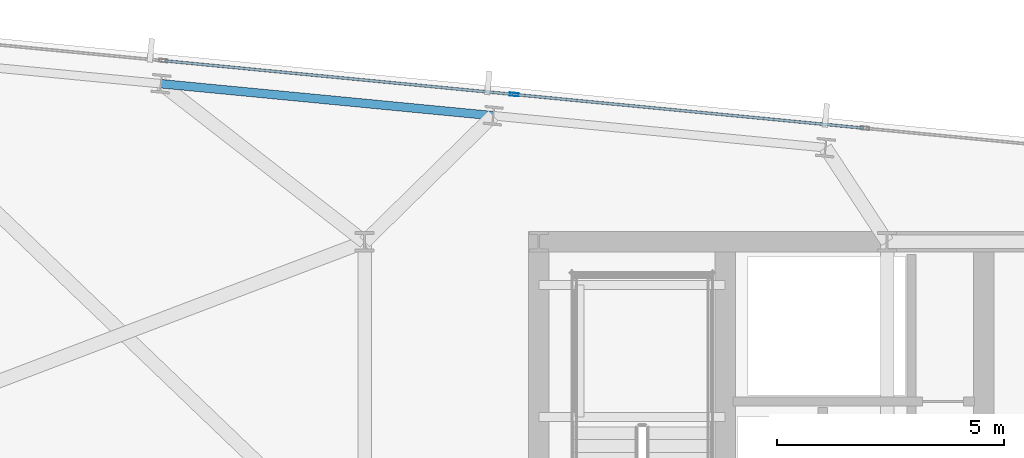
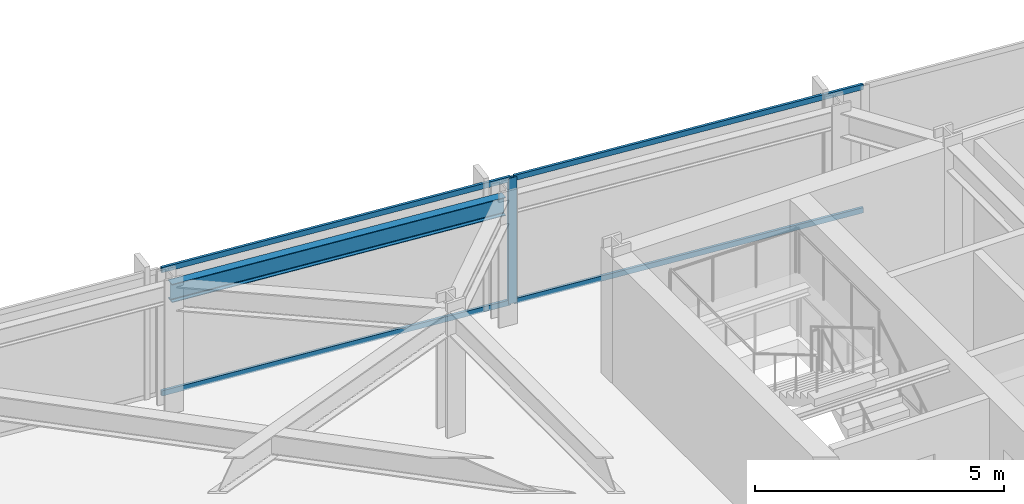
# One storey, part 25 of 37: 5 members, 1 beam, 1 element without a shape of its own.
"""IFC4 building model written with IfcOpenShell, lengths in metres."""

from ifc_helpers import new_model, si_unit, direction, frame, origin, origin_2d, place, context, subcontext, project, spatial, hollow_rectangle, i_section, extrude, material, material_profile, profile_set, type_object, element, aggregate, save


model = new_model("IFC4")

# Units and contexts
model_context = context("Model", 3, precision=1e-05, world=origin(), true_north=direction((0.0, 1.0)))
body_context = subcontext(model_context, "Body", "Model", "MODEL_VIEW")
ifc_project = project(units=[si_unit("LENGTHUNIT", "METRE"), si_unit("AREAUNIT", "SQUARE_METRE"), si_unit("VOLUMEUNIT", "CUBIC_METRE"), si_unit("PLANEANGLEUNIT", "RADIAN"), si_unit("MASSUNIT", "GRAM", prefix="KILO")], contexts=[model_context])

# Site, building, storey
site_placement = place(None, origin())
site = spatial("IfcSite", under=ifc_project, at=site_placement, CompositionType="ELEMENT")
building_placement = place(site_placement, origin())
building = spatial("IfcBuilding", under=site, at=building_placement, Name="Yelkora Congress Tower", CompositionType="ELEMENT")
storey_placement = place(building_placement, frame((0.0, 0.0, 149.0)))
storey = spatial("IfcBuildingStorey", under=building, at=storey_placement, Name="L40", CompositionType="ELEMENT", Elevation=149.0)

# Beam
ifc_material_1 = material(Name="Steel S355J2", Category="steel")
ifc_material_profile_1 = material_profile(ifc_material_1, i_section(OverallWidth=0.18994140625, OverallDepth=0.449951171875, WebThickness=0.009521484375, FlangeThickness=0.0146484375, FilletRadius=0.02099609375, at=origin_2d()), Name="IPE 450")
ifc_profile_set_1 = profile_set([ifc_material_profile_1], Name="Steel S355J2")
beam_type = type_object("IfcBeamType", Name="BM-SPAN-IPE450", PredefinedType="SPANDREL", material=ifc_profile_set_1)
beam_placement = place(storey_placement, frame((22.035400390625, 48.980224609375, 2.85498046875), z_axis=(-0.995393938538, 0.095869218844, 0.0), x_axis=(-0.095869218844, -0.995393938538, 0.0)))
element("IfcBeam", 1, at=beam_placement, inside=storey, type_object=beam_type, Name="L40 Perimeter Beam 14", PredefinedType="SPANDREL", context=body_context, shape_type="SweptSolid", body=[
    extrude(i_section(OverallWidth=0.18994140625, OverallDepth=0.449951171875, WebThickness=0.009521484375, FlangeThickness=0.0146484375, FilletRadius=0.02099609375, at=origin_2d()), origin(), (0.0, 0.0, 1.0), 7.357177734375),
])

# Curtain wall, members
ifc_material_2 = material(Name="Anodised aluminium and insulated glass", Category="aluminium")
curtain_wall_type = type_object("IfcCurtainWallType", Name="CW-SYS-B3", PredefinedType="NOTDEFINED", material=ifc_material_2)
curtain_wall_placement = place(storey_placement, origin())
curtain_wall = element("IfcCurtainWall", 2, at=curtain_wall_placement, inside=storey, type_object=curtain_wall_type, Name="L40 Unitised Curtain Wall 10 (1)", PredefinedType="NOTDEFINED")
ifc_material_3 = material(Name="Anodised aluminium 6063-T6", Category="aluminium")
ifc_material_profile_2 = material_profile(ifc_material_3, hollow_rectangle(XDim=0.070068359375, YDim=0.18994140625, WallThickness=0.00390625, at=origin_2d()), Name="ALU 70x190x4")
ifc_profile_set_2 = profile_set([ifc_material_profile_2], Name="Anodised aluminium 6063-T6")
member_type_1 = type_object("IfcMemberType", Name="MEM-ML-B3", PredefinedType="MULLION", material=ifc_profile_set_2)
member_1_placement = place(storey_placement, frame((22.495849609375, 49.448486328125, 0.0), z_axis=(0.0, 0.0, 1.0), x_axis=(0.095844524462, 0.995396316615, 0.0)))
member_1 = element("IfcMember", 3, at=member_1_placement, type_object=member_type_1, Name="CW-B3 mullion 3", PredefinedType="MULLION", context=body_context, shape_type="SweptSolid", body=[
    extrude(hollow_rectangle(XDim=0.070068359375, YDim=0.18994140625, WallThickness=0.00390625, at=origin_2d()), origin(), (0.0, 0.0, 1.0), 3.080078125),
])
ifc_material_profile_3 = material_profile(ifc_material_3, hollow_rectangle(XDim=0.06005859375, YDim=0.1298828125, WallThickness=0.00390625, at=origin_2d()), Name="ALU 60x130x4")
ifc_profile_set_3 = profile_set([ifc_material_profile_3], Name="Anodised aluminium 6063-T6")
member_type_2 = type_object("IfcMemberType", Name="MEM-TR-B3", PredefinedType="USERDEFINED", material=ifc_profile_set_3)
member_2_placement = place(storey_placement, frame((14.797607421875, 50.189697265625, 0.030029296875), z_axis=(0.995394434175, -0.095864072589, 0.0), x_axis=(0.095864072589, 0.995394434175, 0.0)))
member_2 = element("IfcMember", 4, at=member_2_placement, type_object=member_type_2, Name="CW-B3 transom 2.1", ObjectType="TRANSOM", PredefinedType="USERDEFINED", context=body_context, shape_type="SweptSolid", body=[
    extrude(hollow_rectangle(XDim=0.06005859375, YDim=0.1298828125, WallThickness=0.00390625, at=origin_2d()), origin(), (0.0, 0.0, 1.0), 7.69873046875),
])
member_3_placement = place(storey_placement, frame((14.797607421875, 50.189697265625, 3.050048828125), z_axis=(0.995394434175, -0.095864072589, 0.0), x_axis=(0.095864072589, 0.995394434175, 0.0)))
member_3 = element("IfcMember", 5, at=member_3_placement, type_object=member_type_2, Name="CW-B3 transom 2.2", ObjectType="TRANSOM", PredefinedType="USERDEFINED", context=body_context, shape_type="SweptSolid", body=[
    extrude(hollow_rectangle(XDim=0.06005859375, YDim=0.1298828125, WallThickness=0.00390625, at=origin_2d()), origin(), (0.0, 0.0, 1.0), 7.69873046875),
])
member_4_placement = place(storey_placement, frame((22.530517578125, 49.445068359375, 0.030029296875), z_axis=(0.995397459688, -0.095832652304, 0.0), x_axis=(0.095832652304, 0.995397459688, 0.0)))
member_4 = element("IfcMember", 6, at=member_4_placement, type_object=member_type_2, Name="CW-B3 transom 3.1", ObjectType="TRANSOM", PredefinedType="USERDEFINED", context=body_context, shape_type="SweptSolid", body=[
    extrude(hollow_rectangle(XDim=0.06005859375, YDim=0.1298828125, WallThickness=0.00390625, at=origin_2d()), origin(), (0.0, 0.0, 1.0), 7.69873046875),
])
member_5_placement = place(storey_placement, frame((22.530517578125, 49.445068359375, 3.050048828125), z_axis=(0.995397459688, -0.095832652304, 0.0), x_axis=(0.095832652304, 0.995397459688, 0.0)))
member_5 = element("IfcMember", 7, at=member_5_placement, type_object=member_type_2, Name="CW-B3 transom 3.2", ObjectType="TRANSOM", PredefinedType="USERDEFINED", context=body_context, shape_type="SweptSolid", body=[
    extrude(hollow_rectangle(XDim=0.06005859375, YDim=0.1298828125, WallThickness=0.00390625, at=origin_2d()), origin(), (0.0, 0.0, 1.0), 7.69873046875),
])
aggregate(curtain_wall, [member_1, member_2, member_3, member_4, member_5])

save(model, "model.ifc")
